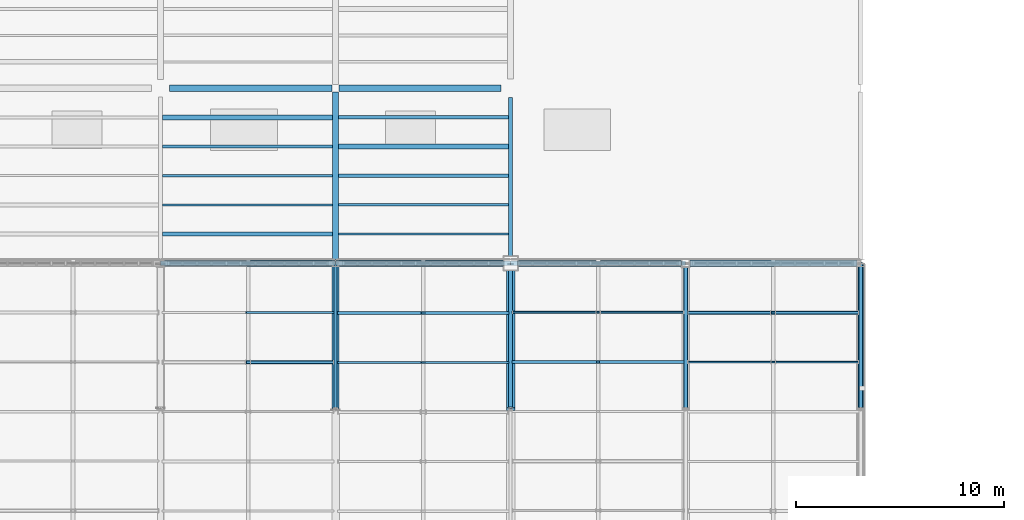
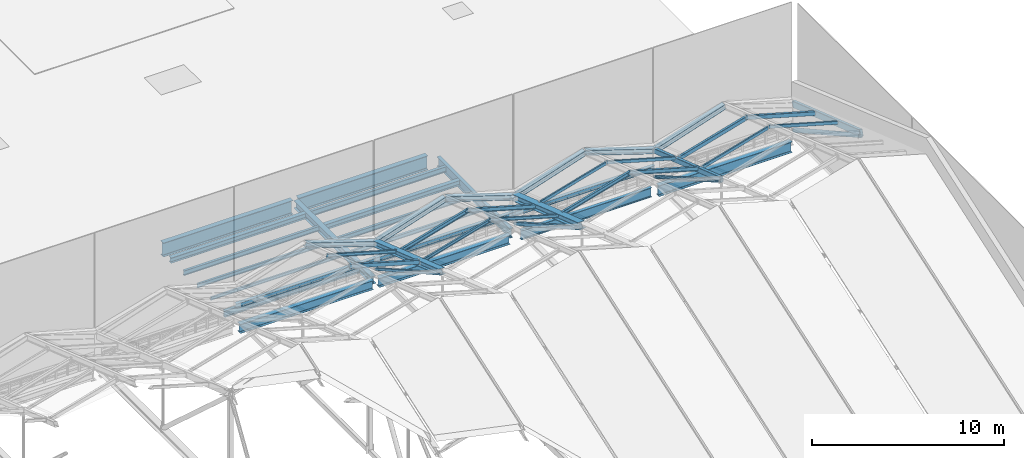
# One storey, part 35 of 77: 28 members, 21 beams.
"""IFC4 building model written with IfcOpenShell, lengths in metres."""

from ifc_helpers import new_model, si_unit, direction, frame, origin, origin_2d, place, context, subcontext, project, spatial, hollow_rectangle, hollow_circle, i_section, extrude, material, material_profile, profile_set, type_object, element, save


model = new_model("IFC4")

# Units and contexts
model_context = context("Model", 3, precision=1e-05, world=origin(), true_north=direction((0.0, 1.0)))
body_context = subcontext(model_context, "Body", "Model", "MODEL_VIEW")
ifc_project = project(units=[si_unit("LENGTHUNIT", "METRE"), si_unit("AREAUNIT", "SQUARE_METRE"), si_unit("VOLUMEUNIT", "CUBIC_METRE"), si_unit("PLANEANGLEUNIT", "RADIAN"), si_unit("MASSUNIT", "GRAM", prefix="KILO")], contexts=[model_context])

# Site, building, storey
site_placement = place(None, origin())
site = spatial("IfcSite", under=ifc_project, at=site_placement, CompositionType="ELEMENT")
building_placement = place(site_placement, origin())
building = spatial("IfcBuilding", under=site, at=building_placement, Name="Larkvane Passage Sports Hall", CompositionType="ELEMENT")
storey_placement = place(building_placement, frame((0.0, 0.0, 22.199951171875)))
storey = spatial("IfcBuildingStorey", under=building, at=storey_placement, Name="RF", CompositionType="ELEMENT", Elevation=22.199951171875)

# Beams
ifc_material_1 = material(Name="Steel S355JR", Category="steel")
ifc_material_profile_1 = material_profile(ifc_material_1, i_section(OverallWidth=0.199951171875, OverallDepth=0.2939453125, WebThickness=0.008056640625, FlangeThickness=0.011962890625, FilletRadius=0.012939453125, at=origin_2d()), Name="H-294x200x8x12")
ifc_profile_set_1 = profile_set([ifc_material_profile_1], Name="Steel S355JR")
beam_type_1 = type_object("IfcBeamType", Name="BM-STL-H294", PredefinedType="BEAM", material=ifc_profile_set_1)
beam_1_placement = place(storey_placement, frame((60.0, 75.60009765625, 0.81298828125), z_axis=(1.0, 0.0, 0.0), x_axis=(0.0, 1.0, 0.0)))
element("IfcBeam", 1, at=beam_1_placement, inside=storey, type_object=beam_type_1, Name="Arena roof north clerestory lintel beam 4", PredefinedType="BEAM", context=body_context, shape_type="SweptSolid", body=[
    extrude(i_section(OverallWidth=0.199951171875, OverallDepth=0.2939453125, WebThickness=0.008056640625, FlangeThickness=0.011962890625, FilletRadius=0.012939453125, at=origin_2d()), origin(), (0.0, 0.0, 1.0), 8.39990234375),
])
beam_2_placement = place(storey_placement, frame((68.39990234375, 75.60009765625, 0.81298828125), z_axis=(1.0, 0.0, 0.0), x_axis=(0.0, 1.0, 0.0)))
element("IfcBeam", 2, at=beam_2_placement, inside=storey, type_object=beam_type_1, Name="Arena roof north clerestory lintel beam 5", PredefinedType="BEAM", context=body_context, shape_type="SweptSolid", body=[
    extrude(i_section(OverallWidth=0.199951171875, OverallDepth=0.2939453125, WebThickness=0.008056640625, FlangeThickness=0.011962890625, FilletRadius=0.012939453125, at=origin_2d()), origin(), (0.0, 0.0, 1.0), 8.400146484375),
])
beam_3_placement = place(storey_placement, frame((76.800048828125, 75.60009765625, 0.81298828125), z_axis=(1.0, 0.0, 0.0), x_axis=(0.0, 1.0, 0.0)))
element("IfcBeam", 3, at=beam_3_placement, inside=storey, type_object=beam_type_1, Name="Arena roof north clerestory lintel beam 6", PredefinedType="BEAM", context=body_context, shape_type="SweptSolid", body=[
    extrude(i_section(OverallWidth=0.199951171875, OverallDepth=0.2939453125, WebThickness=0.008056640625, FlangeThickness=0.011962890625, FilletRadius=0.012939453125, at=origin_2d()), origin(), (0.0, 0.0, 1.0), 8.39990234375),
])
ifc_material_profile_2 = material_profile(ifc_material_1, i_section(OverallWidth=0.300048828125, OverallDepth=0.488037109375, WebThickness=0.010986328125, FlangeThickness=0.01806640625, FilletRadius=0.02197265625, at=origin_2d()), Name="H-488x300x11x18")
ifc_profile_set_2 = profile_set([ifc_material_profile_2], Name="Steel S355JR")
beam_type_2 = type_object("IfcBeamType", Name="BM-STL-H488", PredefinedType="BEAM", material=ifc_profile_set_2)
beam_4_placement = place(storey_placement, frame((68.39990234375, 75.77490234375, -0.6240234375), z_axis=(0.0, 1.0, 0.0), x_axis=(-1.0, 0.0, 0.0)))
element("IfcBeam", 4, at=beam_4_placement, inside=storey, type_object=beam_type_2, Name="Girder BM5-Y-RF-10-1174", PredefinedType="BEAM", context=body_context, shape_type="SweptSolid", body=[
    extrude(i_section(OverallWidth=0.300048828125, OverallDepth=0.488037109375, WebThickness=0.010986328125, FlangeThickness=0.01806640625, FilletRadius=0.02197265625, at=origin_2d()), origin(), (0.0, 0.0, 1.0), 8.050048828125),
])
ifc_material_2 = material(Name="Steel S460N", Category="steel")
ifc_material_profile_3 = material_profile(ifc_material_2, i_section(OverallWidth=0.300048828125, OverallDepth=0.58203125, WebThickness=0.011962890625, FlangeThickness=0.01708984375, FilletRadius=0.02197265625, at=origin_2d()), Name="H-582x300x12x17")
ifc_profile_set_3 = profile_set([ifc_material_profile_3], Name="Steel S460N")
beam_type_3 = type_object("IfcBeamType", Name="BM-STL-H582", PredefinedType="BEAM", material=ifc_profile_set_3)
beam_5_placement = place(storey_placement, frame((60.199951171875, 75.60009765625, -0.6708984375), z_axis=(1.0, 0.0, 0.0), x_axis=(0.0, 1.0, 0.0)))
element("IfcBeam", 5, at=beam_5_placement, inside=storey, type_object=beam_type_3, Name="Girder BM5-X-RF-J-1149", PredefinedType="BEAM", context=body_context, shape_type="SweptSolid", body=[
    extrude(i_section(OverallWidth=0.300048828125, OverallDepth=0.58203125, WebThickness=0.011962890625, FlangeThickness=0.01708984375, FilletRadius=0.02197265625, at=origin_2d()), origin(), (0.0, 0.0, 1.0), 8.025146484375),
])
ifc_material_profile_4 = material_profile(ifc_material_2, i_section(OverallWidth=0.300048828125, OverallDepth=0.587890625, WebThickness=0.011962890625, FlangeThickness=0.02001953125, FilletRadius=0.02197265625, at=origin_2d()), Name="H-588x300x12x20")
ifc_profile_set_4 = profile_set([ifc_material_profile_4], Name="Steel S460N")
beam_type_4 = type_object("IfcBeamType", Name="BM-STL-H588", PredefinedType="BEAM", material=ifc_profile_set_4)
beam_6_placement = place(storey_placement, frame((68.574951171875, 75.60009765625, -0.674072265625), z_axis=(1.0, 0.0, 0.0), x_axis=(0.0, 1.0, 0.0)))
element("IfcBeam", 6, at=beam_6_placement, inside=storey, type_object=beam_type_4, Name="Girder BM5-X-RF-J-1150", PredefinedType="BEAM", context=body_context, shape_type="SweptSolid", body=[
    extrude(i_section(OverallWidth=0.300048828125, OverallDepth=0.587890625, WebThickness=0.011962890625, FlangeThickness=0.02001953125, FilletRadius=0.02197265625, at=origin_2d()), origin(), (0.0, 0.0, 1.0), 7.875),
])
ifc_material_profile_5 = material_profile(ifc_material_1, i_section(OverallWidth=0.199951171875, OverallDepth=0.60009765625, WebThickness=0.010986328125, FlangeThickness=0.01708984375, FilletRadius=0.01806640625, at=origin_2d()), Name="H-600x200x11x17")
ifc_profile_set_5 = profile_set([ifc_material_profile_5], Name="Steel S355JR")
beam_type_5 = type_object("IfcBeamType", Name="BM-STL-H600", PredefinedType="BEAM", material=ifc_profile_set_5)
beam_7_placement = place(storey_placement, frame((77.14990234375, 75.60009765625, -0.679931640625), z_axis=(1.0, 0.0, 0.0), x_axis=(0.0, 1.0, 0.0)))
element("IfcBeam", 7, at=beam_7_placement, inside=storey, type_object=beam_type_5, Name="Girder BM5-X-RF-J-1151", PredefinedType="BEAM", context=body_context, shape_type="SweptSolid", body=[
    extrude(i_section(OverallWidth=0.199951171875, OverallDepth=0.60009765625, WebThickness=0.010986328125, FlangeThickness=0.01708984375, FilletRadius=0.01806640625, at=origin_2d()), origin(), (0.0, 0.0, 1.0), 7.85009765625),
])
beam_8_placement = place(storey_placement, frame((76.800048828125, 75.949951171875, -0.679931640625), z_axis=(0.0, 1.0, 0.0), x_axis=(-1.0, 0.0, 0.0)))
element("IfcBeam", 8, at=beam_8_placement, inside=storey, type_object=beam_type_5, Name="Girder BM5-Y-RF-11-1177", PredefinedType="BEAM", context=body_context, shape_type="SweptSolid", body=[
    extrude(i_section(OverallWidth=0.199951171875, OverallDepth=0.60009765625, WebThickness=0.010986328125, FlangeThickness=0.01708984375, FilletRadius=0.01806640625, at=origin_2d()), origin(), (0.0, 0.0, 1.0), 7.60009765625),
])
ifc_material_profile_6 = material_profile(ifc_material_2, i_section(OverallWidth=0.300048828125, OverallDepth=0.69189453125, WebThickness=0.012939453125, FlangeThickness=0.02001953125, FilletRadius=0.02197265625, at=origin_2d()), Name="H-692x300x13x20")
ifc_profile_set_6 = profile_set([ifc_material_profile_6], Name="Steel S460N")
beam_type_6 = type_object("IfcBeamType", Name="BM-STL-H692", PredefinedType="BEAM", material=ifc_profile_set_6)
beam_9_placement = place(storey_placement, frame((85.39990234375, 75.60009765625, -0.725830078125), z_axis=(1.0, 0.0, 0.0), x_axis=(0.0, 1.0, 0.0)))
element("IfcBeam", 9, at=beam_9_placement, inside=storey, type_object=beam_type_6, Name="Girder BM5-X-RF-J-1152", PredefinedType="BEAM", context=body_context, shape_type="SweptSolid", body=[
    extrude(i_section(OverallWidth=0.300048828125, OverallDepth=0.69189453125, WebThickness=0.012939453125, FlangeThickness=0.02001953125, FilletRadius=0.02197265625, at=origin_2d()), origin(), (0.0, 0.0, 1.0), 8.025146484375),
])
ifc_material_profile_7 = material_profile(ifc_material_2, i_section(OverallWidth=0.299072265625, OverallDepth=0.889892578125, WebThickness=0.014892578125, FlangeThickness=0.02294921875, FilletRadius=0.02197265625, at=origin_2d()), Name="H-890x299x15x23")
ifc_profile_set_7 = profile_set([ifc_material_profile_7], Name="Steel S460N")
beam_type_7 = type_object("IfcBeamType", Name="BM-STL-H890", PredefinedType="BEAM", material=ifc_profile_set_7)
beam_10_placement = place(storey_placement, frame((60.425048828125, 84.0, -0.824951171875), z_axis=(1.0, 0.0, 0.0), x_axis=(0.0, 1.0, 0.0)))
element("IfcBeam", 10, at=beam_10_placement, inside=storey, type_object=beam_type_7, Name="Girder BM5-X-RF-K-1156", PredefinedType="BEAM", context=body_context, shape_type="SweptSolid", body=[
    extrude(i_section(OverallWidth=0.299072265625, OverallDepth=0.889892578125, WebThickness=0.014892578125, FlangeThickness=0.02294921875, FilletRadius=0.02197265625, at=origin_2d()), origin(), (0.0, 0.0, 1.0), 7.800048828125),
])
ifc_material_profile_8 = material_profile(ifc_material_2, i_section(OverallWidth=0.300048828125, OverallDepth=0.89990234375, WebThickness=0.01611328125, FlangeThickness=0.028076171875, FilletRadius=0.02197265625, at=origin_2d()), Name="H-900x300x16x28")
ifc_profile_set_8 = profile_set([ifc_material_profile_8], Name="Steel S460N")
beam_type_8 = type_object("IfcBeamType", Name="BM-STL-H900", PredefinedType="BEAM", material=ifc_profile_set_8)
beam_11_placement = place(storey_placement, frame((68.574951171875, 84.0, -0.829833984375), z_axis=(1.0, 0.0, 0.0), x_axis=(0.0, 1.0, 0.0)))
element("IfcBeam", 11, at=beam_11_placement, inside=storey, type_object=beam_type_8, Name="Girder BM5-X-RF-K-1157", PredefinedType="BEAM", context=body_context, shape_type="SweptSolid", body=[
    extrude(i_section(OverallWidth=0.300048828125, OverallDepth=0.89990234375, WebThickness=0.01611328125, FlangeThickness=0.028076171875, FilletRadius=0.02197265625, at=origin_2d()), origin(), (0.0, 0.0, 1.0), 7.775146484375),
])
ifc_material_profile_9 = material_profile(ifc_material_1, i_section(OverallWidth=0.10009765625, OverallDepth=0.199951171875, WebThickness=0.005615234375, FlangeThickness=0.008056640625, FilletRadius=0.008056640625, at=origin_2d()), Name="H-200x100x5.5x8")
ifc_profile_set_9 = profile_set([ifc_material_profile_9], Name="Steel S355JR")
beam_type_9 = type_object("IfcBeamType", Name="JST-STL-H200", PredefinedType="JOIST", material=ifc_profile_set_9)
for number, where, z_axis, x_axis, name in (
    (12, (60.10009765625, 78.39990234375, -0.47998046875), (1.0, 0.0, 0.0), (0.0, 1.0, 0.0), "Composite joist RF 9/J-2"),
    (13, (68.550048828125, 77.0, -0.47998046875), (1.0, 0.0, 0.0), (0.0, 1.0, 0.0), "Composite joist RF 10/J-1"),
):
    element("IfcBeam", number, at=place(storey_placement, frame(where, z_axis=z_axis, x_axis=x_axis)), inside=storey, type_object=beam_type_9, Name=name, PredefinedType="JOIST", context=body_context, shape_type="SweptSolid", body=[
        extrude(i_section(OverallWidth=0.10009765625, OverallDepth=0.199951171875, WebThickness=0.005615234375, FlangeThickness=0.008056640625, FilletRadius=0.008056640625, at=origin_2d()), origin(), (0.0, 0.0, 1.0), 8.14990234375),
    ])
ifc_material_profile_10 = material_profile(ifc_material_1, i_section(OverallWidth=0.125, OverallDepth=0.25, WebThickness=0.006103515625, FlangeThickness=0.009033203125, FilletRadius=0.008056640625, at=origin_2d()), Name="H-250x125x6x9")
ifc_profile_set_10 = profile_set([ifc_material_profile_10], Name="Steel S355JR")
beam_type_10 = type_object("IfcBeamType", Name="JST-STL-H250", PredefinedType="JOIST", material=ifc_profile_set_10)
for number, where, z_axis, x_axis, name in (
    (14, (60.10009765625, 79.800048828125, -0.5048828125), (1.0, 0.0, 0.0), (0.0, 1.0, 0.0), "Composite joist RF 9/J-3"),
    (15, (68.550048828125, 78.39990234375, -0.5048828125), (1.0, 0.0, 0.0), (0.0, 1.0, 0.0), "Composite joist RF 10/J-2"),
):
    element("IfcBeam", number, at=place(storey_placement, frame(where, z_axis=z_axis, x_axis=x_axis)), inside=storey, type_object=beam_type_10, Name=name, PredefinedType="JOIST", context=body_context, shape_type="SweptSolid", body=[
        extrude(i_section(OverallWidth=0.125, OverallDepth=0.25, WebThickness=0.006103515625, FlangeThickness=0.009033203125, FilletRadius=0.008056640625, at=origin_2d()), origin(), (0.0, 0.0, 1.0), 8.14990234375),
    ])
ifc_material_profile_11 = material_profile(ifc_material_1, i_section(OverallWidth=0.14990234375, OverallDepth=0.300048828125, WebThickness=0.006591796875, FlangeThickness=0.009033203125, FilletRadius=0.012939453125, at=origin_2d()), Name="H-300x150x6.5x9")
ifc_profile_set_11 = profile_set([ifc_material_profile_11], Name="Steel S355JR")
beam_type_11 = type_object("IfcBeamType", Name="JST-STL-H300", PredefinedType="JOIST", material=ifc_profile_set_11)
for number, where, z_axis, x_axis, name in (
    (16, (60.10009765625, 81.199951171875, -0.530029296875), (1.0, 0.0, 0.0), (0.0, 1.0, 0.0), "Composite joist RF 9/J-4"),
    (17, (68.550048828125, 79.800048828125, -0.530029296875), (1.0, 0.0, 0.0), (0.0, 1.0, 0.0), "Composite joist RF 10/J-3"),
):
    element("IfcBeam", number, at=place(storey_placement, frame(where, z_axis=z_axis, x_axis=x_axis)), inside=storey, type_object=beam_type_11, Name=name, PredefinedType="JOIST", context=body_context, shape_type="SweptSolid", body=[
        extrude(i_section(OverallWidth=0.14990234375, OverallDepth=0.300048828125, WebThickness=0.006591796875, FlangeThickness=0.009033203125, FilletRadius=0.012939453125, at=origin_2d()), origin(), (0.0, 0.0, 1.0), 8.14990234375),
    ])
ifc_material_profile_12 = material_profile(ifc_material_1, i_section(OverallWidth=0.25, OverallDepth=0.340087890625, WebThickness=0.009033203125, FlangeThickness=0.013916015625, FilletRadius=0.012939453125, at=origin_2d()), Name="H-340x250x9x14")
ifc_profile_set_12 = profile_set([ifc_material_profile_12], Name="Steel S355JR")
beam_type_12 = type_object("IfcBeamType", Name="JST-STL-H340", PredefinedType="JOIST", material=ifc_profile_set_12)
for number, where, z_axis, x_axis, name in (
    (18, (60.10009765625, 82.60009765625, -0.550048828125), (1.0, 0.0, 0.0), (0.0, 1.0, 0.0), "Composite joist RF 9/J-5"),
    (19, (68.550048828125, 81.199951171875, -0.550048828125), (1.0, 0.0, 0.0), (0.0, 1.0, 0.0), "Composite joist RF 10/J-4"),
):
    element("IfcBeam", number, at=place(storey_placement, frame(where, z_axis=z_axis, x_axis=x_axis)), inside=storey, type_object=beam_type_12, Name=name, PredefinedType="JOIST", context=body_context, shape_type="SweptSolid", body=[
        extrude(i_section(OverallWidth=0.25, OverallDepth=0.340087890625, WebThickness=0.009033203125, FlangeThickness=0.013916015625, FilletRadius=0.012939453125, at=origin_2d()), origin(), (0.0, 0.0, 1.0), 8.14990234375),
    ])
ifc_material_profile_13 = material_profile(ifc_material_1, i_section(OverallWidth=0.175048828125, OverallDepth=0.35009765625, WebThickness=0.007080078125, FlangeThickness=0.010986328125, FilletRadius=0.012939453125, at=origin_2d()), Name="H-350x175x7x11")
ifc_profile_set_13 = profile_set([ifc_material_profile_13], Name="Steel S355JR")
beam_type_13 = type_object("IfcBeamType", Name="JST-STL-H350", PredefinedType="JOIST", material=ifc_profile_set_13)
beam_12_placement = place(storey_placement, frame((68.550048828125, 82.60009765625, -0.554931640625), z_axis=(1.0, 0.0, 0.0), x_axis=(0.0, 1.0, 0.0)))
element("IfcBeam", 20, at=beam_12_placement, inside=storey, type_object=beam_type_13, Name="Composite joist RF 10/J-5", PredefinedType="JOIST", context=body_context, shape_type="SweptSolid", body=[
    extrude(i_section(OverallWidth=0.175048828125, OverallDepth=0.35009765625, WebThickness=0.007080078125, FlangeThickness=0.010986328125, FilletRadius=0.012939453125, at=origin_2d()), origin(), (0.0, 0.0, 1.0), 8.14990234375),
])
ifc_material_profile_14 = material_profile(ifc_material_1, i_section(OverallWidth=0.199951171875, OverallDepth=0.39990234375, WebThickness=0.008056640625, FlangeThickness=0.012939453125, FilletRadius=0.012939453125, at=origin_2d()), Name="H-400x200x8x13")
ifc_profile_set_14 = profile_set([ifc_material_profile_14], Name="Steel S355JR")
beam_type_14 = type_object("IfcBeamType", Name="JST-STL-H400", PredefinedType="JOIST", material=ifc_profile_set_14)
beam_13_placement = place(storey_placement, frame((60.10009765625, 77.0, -0.579833984375), z_axis=(1.0, 0.0, 0.0), x_axis=(0.0, 1.0, 0.0)))
element("IfcBeam", 21, at=beam_13_placement, inside=storey, type_object=beam_type_14, Name="Composite joist RF 9/J-1", PredefinedType="JOIST", context=body_context, shape_type="SweptSolid", body=[
    extrude(i_section(OverallWidth=0.199951171875, OverallDepth=0.39990234375, WebThickness=0.008056640625, FlangeThickness=0.012939453125, FilletRadius=0.012939453125, at=origin_2d()), origin(), (0.0, 0.0, 1.0), 8.14990234375),
])

# Members
ifc_material_profile_15 = material_profile(ifc_material_1, hollow_circle(Radius=0.108154296875, WallThickness=0.00830078125, at=origin_2d()), Name="CHS-216.3x8.2")
ifc_profile_set_15 = profile_set([ifc_material_profile_15], Name="Steel S355JR")
member_type_1 = type_object("IfcMemberType", Name="MBR-BR-CHS216", PredefinedType="BRACE", material=ifc_profile_set_15)
member_1_placement = place(storey_placement, frame((85.199951171875, 68.64990234375, 4.14013671875), z_axis=(0.0, 0.869212373282, -0.494438924574), x_axis=(-1.0, 0.0, 0.0)))
element("IfcMember", 22, at=member_1_placement, inside=storey, type_object=member_type_1, Name="Arena roof truss 7 web brace 6", PredefinedType="BRACE", context=body_context, shape_type="SweptSolid", body=[
    extrude(hollow_circle(Radius=0.108154296875, WallThickness=0.00830078125, at=origin_2d()), origin(), (0.0, 0.0, 1.0), 7.9384765625),
])
ifc_material_profile_16 = material_profile(ifc_material_1, hollow_circle(Radius=0.1337890625, WallThickness=0.00927734375, at=origin_2d()), Name="CHS-267.4x9.3")
ifc_profile_set_16 = profile_set([ifc_material_profile_16], Name="Steel S355JR")
member_type_2 = type_object("IfcMemberType", Name="MBR-BR-CHS267", PredefinedType="BRACE", material=ifc_profile_set_16)
member_2_placement = place(storey_placement, frame((93.60009765625, 68.64990234375, 4.090087890625), z_axis=(0.0, 0.873259464761, -0.48725548453), x_axis=(-1.0, 0.0, 0.0)))
element("IfcMember", 23, at=member_2_placement, inside=storey, type_object=member_type_2, Name="Arena roof truss 8 web brace 6", PredefinedType="BRACE", context=body_context, shape_type="SweptSolid", body=[
    extrude(hollow_circle(Radius=0.1337890625, WallThickness=0.00927734375, at=origin_2d()), origin(), (0.0, 0.0, 1.0), 7.901611328125),
])
ifc_material_profile_17 = material_profile(ifc_material_1, hollow_rectangle(XDim=0.14990234375, YDim=0.14990234375, WallThickness=0.008056640625, InnerFilletRadius=0.008056640625, OuterFilletRadius=0.01611328125, at=origin_2d()), Name="SHS-150x150x8")
ifc_profile_set_17 = profile_set([ifc_material_profile_17], Name="Steel S355JR")
member_type_3 = type_object("IfcMemberType", Name="MBR-BR-SHS150", PredefinedType="BRACE", material=ifc_profile_set_17)
member_3_placement = place(storey_placement, frame((68.39990234375, 68.64990234375, 4.114990234375), z_axis=(0.0, 0.871917239816, -0.489653272135), x_axis=(-1.0, 0.0, 0.0)))
element("IfcMember", 24, at=member_3_placement, inside=storey, type_object=member_type_3, Name="Arena roof truss 5 web brace 6", PredefinedType="BRACE", context=body_context, shape_type="SweptSolid", body=[
    extrude(hollow_rectangle(XDim=0.14990234375, YDim=0.14990234375, WallThickness=0.008056640625, InnerFilletRadius=0.008056640625, OuterFilletRadius=0.01611328125, at=origin_2d()), origin(), (0.0, 0.0, 1.0), 7.913818359375),
])
ifc_material_profile_18 = material_profile(ifc_material_1, hollow_rectangle(XDim=0.199951171875, YDim=0.199951171875, WallThickness=0.009033203125, InnerFilletRadius=0.009033203125, OuterFilletRadius=0.01806640625, at=origin_2d()), Name="SHS-200x200x9")
ifc_profile_set_18 = profile_set([ifc_material_profile_18], Name="Steel S355JR")
member_type_4 = type_object("IfcMemberType", Name="MBR-BR-SHS200", PredefinedType="BRACE", material=ifc_profile_set_18)
member_4_placement = place(storey_placement, frame((76.800048828125, 68.64990234375, 4.090087890625), z_axis=(0.0, 0.870559396632, -0.492063346467), x_axis=(-1.0, 0.0, 0.0)))
element("IfcMember", 25, at=member_4_placement, inside=storey, type_object=member_type_4, Name="Arena roof truss 6 web brace 6", PredefinedType="BRACE", context=body_context, shape_type="SweptSolid", body=[
    extrude(hollow_rectangle(XDim=0.199951171875, YDim=0.199951171875, WallThickness=0.009033203125, InnerFilletRadius=0.009033203125, OuterFilletRadius=0.01806640625, at=origin_2d()), origin(), (0.0, 0.0, 1.0), 7.926025390625),
])
ifc_material_profile_19 = material_profile(ifc_material_2, i_section(OverallWidth=0.300048828125, OverallDepth=0.300048828125, WebThickness=0.010009765625, FlangeThickness=0.014892578125, FilletRadius=0.012939453125, at=origin_2d()), Name="H-300x300x10x15")
ifc_profile_set_19 = profile_set([ifc_material_profile_19], Name="Steel S460N")
member_type_5 = type_object("IfcMemberType", Name="MBR-CH-H300", PredefinedType="CHORD", material=ifc_profile_set_19)
member_5_placement = place(storey_placement, frame((64.199951171875, 75.60009765625, 3.25), z_axis=(0.950708236726, 0.0, -0.310086840451), x_axis=(0.0, 1.0, 0.0)))
element("IfcMember", 26, at=member_5_placement, inside=storey, type_object=member_type_5, Name="Arena roof fold tie 4-NEAVE-E", PredefinedType="CHORD", context=body_context, shape_type="SweptSolid", body=[
    extrude(i_section(OverallWidth=0.300048828125, OverallDepth=0.300048828125, WebThickness=0.010009765625, FlangeThickness=0.014892578125, FilletRadius=0.012939453125, at=origin_2d()), origin(), (0.0, 0.0, 1.0), 4.417724609375),
])
member_6_placement = place(storey_placement, frame((68.39990234375, 75.60009765625, 1.880126953125), z_axis=(0.950713550163, 0.0, 0.310070549289), x_axis=(0.0, 1.0, 0.0)))
element("IfcMember", 27, at=member_6_placement, inside=storey, type_object=member_type_5, Name="Arena roof fold tie 5-NEAVE-W", PredefinedType="CHORD", context=body_context, shape_type="SweptSolid", body=[
    extrude(i_section(OverallWidth=0.300048828125, OverallDepth=0.300048828125, WebThickness=0.010009765625, FlangeThickness=0.014892578125, FilletRadius=0.012939453125, at=origin_2d()), origin(), (0.0, 0.0, 1.0), 4.41796875),
])
for number, where, z_axis, x_axis, name in (
    (28, (72.60009765625, 75.60009765625, 3.25), (0.950708236726, 0.0, -0.310086840451), (0.0, 1.0, 0.0), "Arena roof fold tie 5-NEAVE-E"),
    (29, (76.800048828125, 75.60009765625, 1.880126953125), (0.950708236726, 0.0, 0.310086840451), (0.0, 1.0, 0.0), "Arena roof fold tie 6-NEAVE-W"),
    (30, (81.0, 75.60009765625, 3.25), (0.950708236726, 0.0, -0.310086840451), (0.0, 1.0, 0.0), "Arena roof fold tie 6-NEAVE-E"),
    (31, (85.199951171875, 75.60009765625, 1.880126953125), (0.950708236726, 0.0, 0.310086840451), (0.0, 1.0, 0.0), "Arena roof fold tie 7-NEAVE-W"),
):
    element("IfcMember", number, at=place(storey_placement, frame(where, z_axis=z_axis, x_axis=x_axis)), inside=storey, type_object=member_type_5, Name=name, PredefinedType="CHORD", context=body_context, shape_type="SweptSolid", body=[
        extrude(i_section(OverallWidth=0.300048828125, OverallDepth=0.300048828125, WebThickness=0.010009765625, FlangeThickness=0.014892578125, FilletRadius=0.012939453125, at=origin_2d()), origin(), (0.0, 0.0, 1.0), 4.417724609375),
    ])
ifc_material_profile_20 = material_profile(ifc_material_2, i_section(OverallWidth=0.35009765625, OverallDepth=0.35009765625, WebThickness=0.011962890625, FlangeThickness=0.01904296875, FilletRadius=0.012939453125, at=origin_2d()), Name="H-350x350x12x19")
ifc_profile_set_20 = profile_set([ifc_material_profile_20], Name="Steel S460N")
member_type_6 = type_object("IfcMemberType", Name="MBR-CH-H350", PredefinedType="CHORD", material=ifc_profile_set_20)
member_7_placement = place(storey_placement, frame((68.39990234375, 68.60009765625, 4.280029296875), z_axis=(0.0, 0.945949994576, -0.324312515579), x_axis=(-1.0, 0.0, 0.0)))
element("IfcMember", 32, at=member_7_placement, inside=storey, type_object=member_type_6, Name="Arena roof truss 5 top chord 6", PredefinedType="CHORD", context=body_context, shape_type="SweptSolid", body=[
    extrude(i_section(OverallWidth=0.35009765625, OverallDepth=0.35009765625, WebThickness=0.011962890625, FlangeThickness=0.01904296875, FilletRadius=0.012939453125, at=origin_2d()), origin(), (0.0, 0.0, 1.0), 7.39990234375),
])
ifc_material_profile_21 = material_profile(ifc_material_2, i_section(OverallWidth=0.39990234375, OverallDepth=0.39990234375, WebThickness=0.012939453125, FlangeThickness=0.02099609375, FilletRadius=0.02197265625, at=origin_2d()), Name="H-400x400x13x21")
ifc_profile_set_21 = profile_set([ifc_material_profile_21], Name="Steel S460N")
member_type_7 = type_object("IfcMemberType", Name="MBR-CH-H400", PredefinedType="CHORD", material=ifc_profile_set_21)
member_8_placement = place(storey_placement, frame((76.800048828125, 68.60009765625, 4.280029296875), z_axis=(0.0, 0.945949994576, -0.324312515579), x_axis=(-1.0, 0.0, 0.0)))
element("IfcMember", 33, at=member_8_placement, inside=storey, type_object=member_type_7, Name="Arena roof truss 6 top chord 6", PredefinedType="CHORD", context=body_context, shape_type="SweptSolid", body=[
    extrude(i_section(OverallWidth=0.39990234375, OverallDepth=0.39990234375, WebThickness=0.012939453125, FlangeThickness=0.02099609375, FilletRadius=0.02197265625, at=origin_2d()), origin(), (0.0, 0.0, 1.0), 7.39990234375),
])
ifc_material_profile_22 = material_profile(ifc_material_2, hollow_rectangle(XDim=0.199951171875, YDim=0.300048828125, WallThickness=0.011962890625, InnerFilletRadius=0.011962890625, OuterFilletRadius=0.02392578125, at=origin_2d()), Name="RHS-300x200x12")
ifc_profile_set_22 = profile_set([ifc_material_profile_22], Name="Steel S460N")
member_type_8 = type_object("IfcMemberType", Name="MBR-CH-RHS300", PredefinedType="CHORD", material=ifc_profile_set_22)
member_9_placement = place(storey_placement, frame((85.199951171875, 68.60009765625, 4.280029296875), z_axis=(0.0, 0.945949994576, -0.324312515579), x_axis=(-1.0, 0.0, 0.0)))
element("IfcMember", 34, at=member_9_placement, inside=storey, type_object=member_type_8, Name="Arena roof truss 7 top chord 6", PredefinedType="CHORD", context=body_context, shape_type="SweptSolid", body=[
    extrude(hollow_rectangle(XDim=0.199951171875, YDim=0.300048828125, WallThickness=0.011962890625, InnerFilletRadius=0.011962890625, OuterFilletRadius=0.02392578125, at=origin_2d()), origin(), (0.0, 0.0, 1.0), 7.39990234375),
])
ifc_material_profile_23 = material_profile(ifc_material_2, hollow_rectangle(XDim=0.199951171875, YDim=0.39990234375, WallThickness=0.013916015625, InnerFilletRadius=0.013916015625, OuterFilletRadius=0.028076171875, at=origin_2d()), Name="RHS-400x200x14")
ifc_profile_set_23 = profile_set([ifc_material_profile_23], Name="Steel S460N")
member_type_9 = type_object("IfcMemberType", Name="MBR-CH-RHS400", PredefinedType="CHORD", material=ifc_profile_set_23)
member_10_placement = place(storey_placement, frame((93.60009765625, 68.60009765625, 4.280029296875), z_axis=(0.0, 0.945949994576, -0.324312515579), x_axis=(-1.0, 0.0, 0.0)))
element("IfcMember", 35, at=member_10_placement, inside=storey, type_object=member_type_9, Name="Arena roof truss 8 top chord 6", PredefinedType="CHORD", context=body_context, shape_type="SweptSolid", body=[
    extrude(hollow_rectangle(XDim=0.199951171875, YDim=0.39990234375, WallThickness=0.013916015625, InnerFilletRadius=0.013916015625, OuterFilletRadius=0.028076171875, at=origin_2d()), origin(), (0.0, 0.0, 1.0), 7.39990234375),
])
ifc_material_profile_24 = material_profile(ifc_material_1, i_section(OverallWidth=0.10009765625, OverallDepth=0.199951171875, WebThickness=0.005615234375, FlangeThickness=0.008056640625, FilletRadius=0.008056640625, at=origin_2d()), Name="H-200x100x5.5x8")
ifc_profile_set_24 = profile_set([ifc_material_profile_24], Name="Steel S355JR")
member_type_10 = type_object("IfcMemberType", Name="MBR-PR-H200", PredefinedType="PURLIN", material=ifc_profile_set_24)
member_11_placement = place(storey_placement, frame((64.09423828125, 73.233154296875, 3.998291015625), z_axis=(0.961515511102, 0.0, -0.274750654067), x_axis=(0.0, 1.0, 0.0)))
element("IfcMember", 36, at=member_11_placement, inside=storey, type_object=member_type_10, Name="Folded roof purlin FRP-B4-NE-5", PredefinedType="PURLIN", context=body_context, shape_type="SweptSolid", body=[
    extrude(i_section(OverallWidth=0.10009765625, OverallDepth=0.199951171875, WebThickness=0.005615234375, FlangeThickness=0.008056640625, FilletRadius=0.008056640625, at=origin_2d()), origin(), (0.0, 0.0, 1.0), 4.368408203125),
])
for number, where, z_axis, x_axis, name in (
    (37, (68.51611328125, 70.840576171875, 3.57763671875), (0.96152605678, 0.0, 0.274713745804), (0.0, 1.0, 0.0), "Folded roof purlin FRP-B5-NW-4"),
    (38, (72.48388671875, 70.840576171875, 4.777587890625), (0.96152605678, 0.0, -0.274713745804), (0.0, 1.0, 0.0), "Folded roof purlin FRP-B5-NE-4"),
):
    element("IfcMember", number, at=place(storey_placement, frame(where, z_axis=z_axis, x_axis=x_axis)), inside=storey, type_object=member_type_10, Name=name, PredefinedType="PURLIN", context=body_context, shape_type="SweptSolid", body=[
        extrude(i_section(OverallWidth=0.10009765625, OverallDepth=0.199951171875, WebThickness=0.005615234375, FlangeThickness=0.008056640625, FilletRadius=0.008056640625, at=origin_2d()), origin(), (0.0, 0.0, 1.0), 4.367919921875),
    ])
ifc_material_profile_25 = material_profile(ifc_material_1, i_section(OverallWidth=0.125, OverallDepth=0.25, WebThickness=0.006103515625, FlangeThickness=0.009033203125, FilletRadius=0.008056640625, at=origin_2d()), Name="H-250x125x6x9")
ifc_profile_set_25 = profile_set([ifc_material_profile_25], Name="Steel S355JR")
member_type_11 = type_object("IfcMemberType", Name="MBR-PR-H250", PredefinedType="PURLIN", material=ifc_profile_set_25)
member_12_placement = place(storey_placement, frame((68.522705078125, 73.212890625, 2.73876953125), z_axis=(0.961511291812, 0.0, 0.274765419436), x_axis=(0.0, 1.0, 0.0)))
element("IfcMember", 39, at=member_12_placement, inside=storey, type_object=member_type_11, Name="Folded roof purlin FRP-B5-NW-5", PredefinedType="PURLIN", context=body_context, shape_type="SweptSolid", body=[
    extrude(i_section(OverallWidth=0.125, OverallDepth=0.25, WebThickness=0.006103515625, FlangeThickness=0.009033203125, FilletRadius=0.008056640625, at=origin_2d()), origin(), (0.0, 0.0, 1.0), 4.3681640625),
])
member_13_placement = place(storey_placement, frame((72.477294921875, 73.212890625, 3.93896484375), z_axis=(0.961515511102, 0.0, -0.274750654067), x_axis=(0.0, 1.0, 0.0)))
element("IfcMember", 40, at=member_13_placement, inside=storey, type_object=member_type_11, Name="Folded roof purlin FRP-B5-NE-5", PredefinedType="PURLIN", context=body_context, shape_type="SweptSolid", body=[
    extrude(i_section(OverallWidth=0.125, OverallDepth=0.25, WebThickness=0.006103515625, FlangeThickness=0.009033203125, FilletRadius=0.008056640625, at=origin_2d()), origin(), (0.0, 0.0, 1.0), 4.368408203125),
])
for number, where, z_axis, x_axis, name in (
    (41, (76.90185546875, 70.85791015625, 3.6279296875), (0.96152605678, 0.0, 0.274713745804), (0.0, 1.0, 0.0), "Folded roof purlin FRP-B6-NW-4"),
    (42, (80.898193359375, 70.85791015625, 4.827880859375), (0.96152605678, 0.0, -0.274713745804), (0.0, 1.0, 0.0), "Folded roof purlin FRP-B6-NE-4"),
):
    element("IfcMember", number, at=place(storey_placement, frame(where, z_axis=z_axis, x_axis=x_axis)), inside=storey, type_object=member_type_11, Name=name, PredefinedType="PURLIN", context=body_context, shape_type="SweptSolid", body=[
        extrude(i_section(OverallWidth=0.125, OverallDepth=0.25, WebThickness=0.006103515625, FlangeThickness=0.009033203125, FilletRadius=0.008056640625, at=origin_2d()), origin(), (0.0, 0.0, 1.0), 4.367919921875),
    ])
ifc_material_profile_26 = material_profile(ifc_material_1, hollow_rectangle(XDim=0.10009765625, YDim=0.199951171875, WallThickness=0.008056640625, InnerFilletRadius=0.008056640625, OuterFilletRadius=0.01611328125, at=origin_2d()), Name="RHS-200x100x8")
ifc_profile_set_26 = profile_set([ifc_material_profile_26], Name="Steel S355JR")
member_type_12 = type_object("IfcMemberType", Name="MBR-PR-RHS200", PredefinedType="PURLIN", material=ifc_profile_set_26)
for number, where, z_axis, x_axis, name in (
    (43, (76.895263671875, 73.24560546875, 2.834716796875), (0.96152605678, 0.0, 0.274713745804), (0.0, 1.0, 0.0), "Folded roof purlin FRP-B6-NW-5"),
    (44, (80.90478515625, 73.24560546875, 4.03466796875), (0.96152605678, 0.0, -0.274713745804), (0.0, 1.0, 0.0), "Folded roof purlin FRP-B6-NE-5"),
    (45, (85.3056640625, 70.853271484375, 3.6142578125), (0.96152605678, 0.0, 0.274713745804), (0.0, 1.0, 0.0), "Folded roof purlin FRP-B7-NW-4"),
    (46, (89.29443359375, 70.853271484375, 4.814208984375), (0.96152605678, 0.0, -0.274713745804), (0.0, 1.0, 0.0), "Folded roof purlin FRP-B7-NE-4"),
):
    element("IfcMember", number, at=place(storey_placement, frame(where, z_axis=z_axis, x_axis=x_axis)), inside=storey, type_object=member_type_12, Name=name, PredefinedType="PURLIN", context=body_context, shape_type="SweptSolid", body=[
        extrude(hollow_rectangle(XDim=0.10009765625, YDim=0.199951171875, WallThickness=0.008056640625, InnerFilletRadius=0.008056640625, OuterFilletRadius=0.01611328125, at=origin_2d()), origin(), (0.0, 0.0, 1.0), 4.367919921875),
    ])
ifc_material_profile_27 = material_profile(ifc_material_1, hollow_rectangle(XDim=0.14990234375, YDim=0.25, WallThickness=0.009033203125, InnerFilletRadius=0.009033203125, OuterFilletRadius=0.01806640625, at=origin_2d()), Name="RHS-250x150x9")
ifc_profile_set_27 = profile_set([ifc_material_profile_27], Name="Steel S355JR")
member_type_13 = type_object("IfcMemberType", Name="MBR-PR-RHS250", PredefinedType="PURLIN", material=ifc_profile_set_27)
for number, where, z_axis, x_axis, name in (
    (47, (64.087890625, 70.845458984375, 4.791259765625), (0.96152605678, 0.0, -0.274713745804), (0.0, 1.0, 0.0), "Folded roof purlin FRP-B4-NE-4"),
    (48, (85.312255859375, 73.225341796875, 2.775390625), (0.96152605678, 0.0, 0.274713745804), (0.0, 1.0, 0.0), "Folded roof purlin FRP-B7-NW-5"),
    (49, (89.287841796875, 73.225341796875, 3.975341796875), (0.96152605678, 0.0, -0.274713745804), (0.0, 1.0, 0.0), "Folded roof purlin FRP-B7-NE-5"),
):
    element("IfcMember", number, at=place(storey_placement, frame(where, z_axis=z_axis, x_axis=x_axis)), inside=storey, type_object=member_type_13, Name=name, PredefinedType="PURLIN", context=body_context, shape_type="SweptSolid", body=[
        extrude(hollow_rectangle(XDim=0.14990234375, YDim=0.25, WallThickness=0.009033203125, InnerFilletRadius=0.009033203125, OuterFilletRadius=0.01806640625, at=origin_2d()), origin(), (0.0, 0.0, 1.0), 4.367919921875),
    ])

save(model, "model.ifc")
